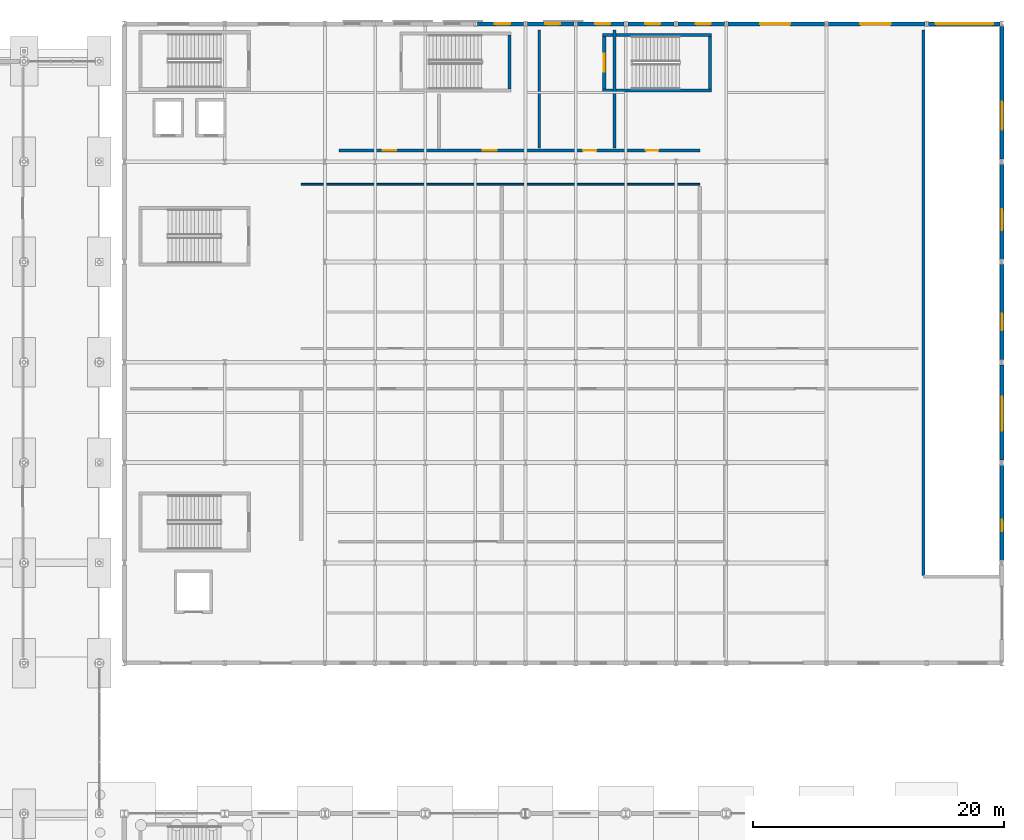
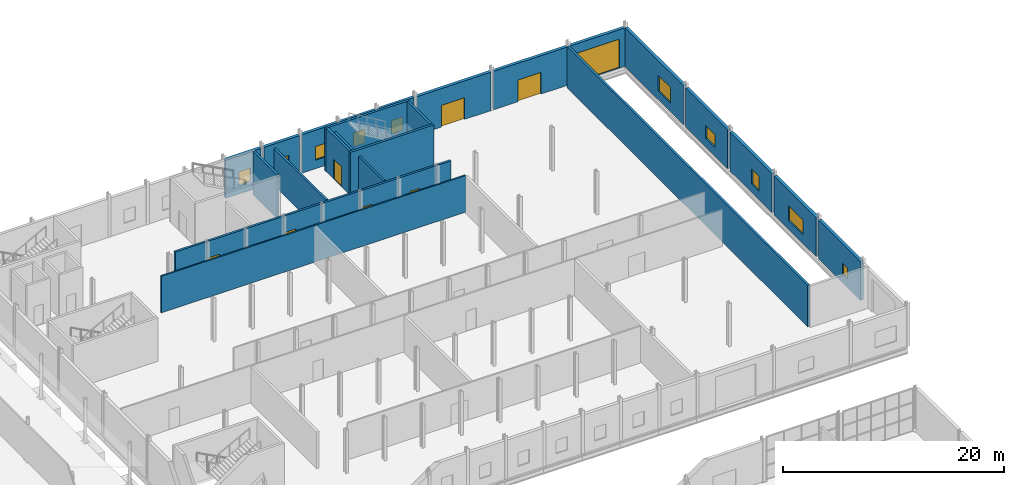
# One storey, part 83 of 101: 23 walls, 10 windows, 8 doors, 18 openings.
"""IFC4 building model written with IfcOpenShell, lengths in metres."""

from ifc_helpers import new_model, si_unit, derived_unit, direction, frame, frame_2d, origin, place, context, subcontext, project, spatial, rectangle, extrude, material, layer, layer_set, type_object, element, fill, save


model = new_model("IFC4")

# Units and contexts
model_context = context("Model", 3, precision=1e-05, world=origin(), true_north=direction((0.0, 1.0)))
body_context = subcontext(model_context, "Body", "Model", "MODEL_VIEW")
ifc_project = project(units=[si_unit("LENGTHUNIT", "METRE"), si_unit("AREAUNIT", "SQUARE_METRE"), si_unit("VOLUMEUNIT", "CUBIC_METRE"), si_unit("PLANEANGLEUNIT", "RADIAN"), si_unit("MASSUNIT", "GRAM", prefix="KILO"), derived_unit("THERMALTRANSMITTANCEUNIT", [(si_unit("POWERUNIT", "WATT"), 1), (si_unit("LENGTHUNIT", "METRE"), -2), (si_unit("THERMODYNAMICTEMPERATUREUNIT", "KELVIN"), -1)])], contexts=[model_context])

# Site, building, storey
site_placement = place(None, origin())
site = spatial("IfcSite", under=ifc_project, at=site_placement, CompositionType="ELEMENT")
building_placement = place(site_placement, origin())
building = spatial("IfcBuilding", under=site, at=building_placement, Name="Keldorne Ridge Multi-Sports Centre", CompositionType="ELEMENT")
storey_placement = place(building_placement, origin())
storey = spatial("IfcBuildingStorey", under=building, at=storey_placement, Name="L00", CompositionType="ELEMENT", Elevation=0.0)

# Wall, openings, doors
ifc_material_1 = material(Name="Moisture-resistant stud plumbing wall")
ifc_layer_1 = layer(ifc_material_1, 0.219970703125)
ifc_layer_set_1 = layer_set([ifc_layer_1])
wall_type_1 = type_object("IfcWallType", Name="WAL-PL-01", PredefinedType="PLUMBINGWALL", material=ifc_layer_set_1)
wall_1_placement = place(storey_placement, frame((121.10009765625, 106.89990234375, 0.0), z_axis=(0.0, 0.0, 1.0), x_axis=(1.0, 0.0, 0.0)))
wall_1 = element("IfcWall", 1, at=wall_1_placement, inside=storey, type_object=wall_type_1, Name="Ground north WC and Security Office corridor wall IW-L00-027", PredefinedType="PLUMBINGWALL", context=body_context, shape_type="SweptSolid", body=[
    extrude(rectangle(XDim=28.7998046875, YDim=0.219970703125, at=frame_2d((14.39990234375, 0.0))), origin(), (0.0, 0.0, 1.0), 4.050048828125),
])
opening_1_placement = place(wall_1_placement, frame((3.5, 0.0, 0.0)))
opening_1 = element("IfcOpeningElement", 2, at=opening_1_placement, cuts=wall_1, Name="Opening D-03", PredefinedType="OPENING", context=body_context, shape_type="SweptSolid", body=[
    extrude(rectangle(XDim=1.10009765625, YDim=2.199951171875, at=frame_2d((0.550048828125, 1.10009765625))), frame((0.0, 0.1201171875, 0.0), z_axis=(0.0, -1.0, 0.0), x_axis=(1.0, 0.0, 0.0)), (0.0, 0.0, 1.0), 0.239990234375),
])
opening_2_placement = place(wall_1_placement, frame((11.5, 0.0, 0.0)))
opening_2 = element("IfcOpeningElement", 3, at=opening_2_placement, cuts=wall_1, Name="Opening D-03", PredefinedType="OPENING", context=body_context, shape_type="SweptSolid", body=[
    extrude(rectangle(XDim=1.10009765625, YDim=2.199951171875, at=frame_2d((0.550048828125, 1.10009765625))), frame((0.0, 0.1201171875, 0.0), z_axis=(0.0, -1.0, 0.0), x_axis=(1.0, 0.0, 0.0)), (0.0, 0.0, 1.0), 0.239990234375),
])
opening_3_placement = place(wall_1_placement, frame((19.5, 0.0, 0.0)))
opening_3 = element("IfcOpeningElement", 4, at=opening_3_placement, cuts=wall_1, Name="Opening D-08", PredefinedType="OPENING", context=body_context, shape_type="SweptSolid", body=[
    extrude(rectangle(XDim=1.050048828125, YDim=2.14990234375, at=frame_2d((0.52490234375, 1.074951171875))), frame((0.0, 0.1201171875, 0.0), z_axis=(0.0, -1.0, 0.0), x_axis=(1.0, 0.0, 0.0)), (0.0, 0.0, 1.0), 0.239990234375),
])
opening_4_placement = place(wall_1_placement, frame((24.5, 0.0, 0.0)))
opening_4 = element("IfcOpeningElement", 5, at=opening_4_placement, cuts=wall_1, Name="Opening D-02", PredefinedType="OPENING", context=body_context, shape_type="SweptSolid", body=[
    extrude(rectangle(XDim=1.0, YDim=2.14990234375, at=frame_2d((0.5, 1.074951171875))), frame((0.0, 0.1201171875, 0.0), z_axis=(0.0, -1.0, 0.0), x_axis=(1.0, 0.0, 0.0)), (0.0, 0.0, 1.0), 0.239990234375),
])
ifc_material_2 = material(Name="Timber acoustic leaf", Category="wood")
door_type_1 = type_object("IfcDoorType", Name="DR-D-02", OperationType="NOTDEFINED", PredefinedType="DOOR", material=ifc_material_2)
door_1_placement = place(opening_4_placement, origin())
door_1 = element("IfcDoor", 6, at=door_1_placement, inside=storey, type_object=door_type_1, Name="Centre Security and Facility Office door D-095", OperationType="SINGLE_SWING_LEFT", OverallHeight=2.14990234375, OverallWidth=1.0, PredefinedType="DOOR", context=body_context, shape_type="SweptSolid", body=[
    extrude(rectangle(XDim=1.0, YDim=2.14990234375, at=frame_2d((0.5, 1.074951171875))), frame((0.0, 0.02490234375, 0.0), z_axis=(0.0, -1.0, 0.0), x_axis=(1.0, 0.0, 0.0)), (0.0, 0.0, 1.0), 0.050048828125),
])
fill(opening_4, door_1)
ifc_material_3 = material(Name="Timber fire-resisting leaf", Category="wood")
door_type_2 = type_object("IfcDoorType", Name="DR-D-03", OperationType="NOTDEFINED", PredefinedType="DOOR", material=ifc_material_3)
door_2_placement = place(opening_1_placement, origin())
door_2 = element("IfcDoor", 7, at=door_2_placement, inside=storey, type_object=door_type_2, Name="Ground Public Male WC door D-092", OperationType="SINGLE_SWING_RIGHT", OverallHeight=2.199951171875, OverallWidth=1.10009765625, PredefinedType="DOOR", context=body_context, shape_type="SweptSolid", body=[
    extrude(rectangle(XDim=1.10009765625, YDim=2.199951171875, at=frame_2d((0.550048828125, 1.10009765625))), frame((0.0, 0.02490234375, 0.0), z_axis=(0.0, -1.0, 0.0), x_axis=(1.0, 0.0, 0.0)), (0.0, 0.0, 1.0), 0.050048828125),
])
fill(opening_1, door_2)
door_3_placement = place(opening_2_placement, origin())
door_3 = element("IfcDoor", 8, at=door_3_placement, inside=storey, type_object=door_type_2, Name="Ground Public Female WC door D-093", OperationType="SINGLE_SWING_LEFT", OverallHeight=2.199951171875, OverallWidth=1.10009765625, PredefinedType="DOOR", context=body_context, shape_type="SweptSolid", body=[
    extrude(rectangle(XDim=1.10009765625, YDim=2.199951171875, at=frame_2d((0.550048828125, 1.10009765625))), frame((0.0, 0.02490234375, 0.0), z_axis=(0.0, -1.0, 0.0), x_axis=(1.0, 0.0, 0.0)), (0.0, 0.0, 1.0), 0.050048828125),
])
fill(opening_2, door_3)
ifc_material_4 = material(Name="Timber moisture-resistant leaf", Category="wood")
door_type_3 = type_object("IfcDoorType", Name="DR-D-08", OperationType="NOTDEFINED", PredefinedType="DOOR", material=ifc_material_4)
door_4_placement = place(opening_3_placement, origin())
door_4 = element("IfcDoor", 9, at=door_4_placement, inside=storey, type_object=door_type_3, Name="Ground Accessible WC door D-094", OperationType="SINGLE_SWING_RIGHT", OverallHeight=2.14990234375, OverallWidth=1.050048828125, PredefinedType="DOOR", context=body_context, shape_type="SweptSolid", body=[
    extrude(rectangle(XDim=1.050048828125, YDim=2.14990234375, at=frame_2d((0.52490234375, 1.074951171875))), frame((0.0, 0.02490234375, 0.0), z_axis=(0.0, -1.0, 0.0), x_axis=(1.0, 0.0, 0.0)), (0.0, 0.0, 1.0), 0.050048828125),
])
fill(opening_3, door_4)

# Walls
for number, where, z_axis, x_axis, name in (
    (10, (137.10009765625, 107.10009765625, 0.0), (0.0, 0.0, 1.0), (0.0, 1.0, 0.0), "Ground WC/office divider IW-L00-030"),
    (11, (143.10009765625, 107.10009765625, 0.0), (0.0, 0.0, 1.0), (0.0, 1.0, 0.0), "Ground WC/office divider IW-L00-031"),
):
    element("IfcWall", number, at=place(storey_placement, frame(where, z_axis=z_axis, x_axis=x_axis)), inside=storey, type_object=wall_type_1, Name=name, PredefinedType="PLUMBINGWALL", context=body_context, shape_type="SweptSolid", body=[
        extrude(rectangle(XDim=9.39990234375, YDim=0.219970703125, at=frame_2d((4.699951171875, 0.0))), origin(), (0.0, 0.0, 1.0), 4.050048828125),
    ])

# Wall, opening, window
ifc_material_5 = material(Name="Precast concrete C40/50", Category="concrete")
ifc_layer_2 = layer(ifc_material_5, 0.320068359375)
ifc_layer_set_2 = layer_set([ifc_layer_2], Name="Precast concrete C40/50")
wall_type_2 = type_object("IfcWallType", Name="WAL-PR-W1", PredefinedType="STANDARD", material=ifc_layer_set_2)
wall_2_placement = place(storey_placement, frame((135.847900390625, 117.0, 0.0), z_axis=(0.0, 0.0, 1.0), x_axis=(-1.0, 0.0, 0.0)))
wall_2 = element("IfcWall", 12, at=wall_2_placement, inside=storey, type_object=wall_type_2, Name="East Wing L00 north facade 6", PredefinedType="STANDARD", context=body_context, shape_type="SweptSolid", body=[
    extrude(rectangle(XDim=3.69580078125, YDim=0.320068359375, at=frame_2d((1.847900390625, 0.0))), origin(), (0.0, 0.0, 1.0), 4.2548828125),
])
opening_5_placement = place(wall_2_placement, frame((1.087890625, 0.0, 0.949951171875)))
opening_5 = element("IfcOpeningElement", 13, at=opening_5_placement, cuts=wall_2, Name="Opening W-03", PredefinedType="OPENING", context=body_context, shape_type="SweptSolid", body=[
    extrude(rectangle(XDim=1.199951171875, YDim=1.5, at=frame_2d((0.60009765625, 0.75))), frame((0.0, 0.169921875, 0.0), z_axis=(0.0, -1.0, 0.0), x_axis=(1.0, 0.0, 0.0)), (0.0, 0.0, 1.0), 0.340087890625),
])
ifc_material_6 = material(Name="Anodized aluminium", Category="aluminium")
window_type_1 = type_object("IfcWindowType", Name="WIN-W-03", PartitioningType="SINGLE_PANEL", PredefinedType="WINDOW", material=ifc_material_6)
window_1_placement = place(opening_5_placement, origin())
window_1 = element("IfcWindow", 14, at=window_1_placement, inside=storey, type_object=window_type_1, Name="East Wing L00 north window W-044", OverallHeight=1.5, OverallWidth=1.199951171875, PartitioningType="SINGLE_PANEL", PredefinedType="WINDOW", context=body_context, shape_type="SweptSolid", body=[
    extrude(rectangle(XDim=1.199951171875, YDim=1.5, at=frame_2d((0.60009765625, 0.75))), frame((0.0, 0.030029296875, 0.0), z_axis=(0.0, -1.0, 0.0), x_axis=(1.0, 0.0, 0.0)), (0.0, 0.0, 1.0), 0.06005859375),
])
fill(opening_5, window_1)

wall_3_placement = place(storey_placement, frame((139.847900390625, 117.0, 0.0), z_axis=(0.0, 0.0, 1.0), x_axis=(-1.0, 0.0, 0.0)))
wall_3 = element("IfcWall", 15, at=wall_3_placement, inside=storey, type_object=wall_type_2, Name="East Wing L00 north facade 7", PredefinedType="STANDARD", context=body_context, shape_type="SweptSolid", body=[
    extrude(rectangle(XDim=3.69580078125, YDim=0.320068359375, at=frame_2d((1.847900390625, 0.0))), origin(), (0.0, 0.0, 1.0), 4.2548828125),
])
opening_6_placement = place(wall_3_placement, frame((1.087890625, 0.0, 0.949951171875)))
opening_6 = element("IfcOpeningElement", 16, at=opening_6_placement, cuts=wall_3, Name="Opening W-03", PredefinedType="OPENING", context=body_context, shape_type="SweptSolid", body=[
    extrude(rectangle(XDim=1.199951171875, YDim=1.5, at=frame_2d((0.60009765625, 0.75))), frame((0.0, 0.169921875, 0.0), z_axis=(0.0, -1.0, 0.0), x_axis=(1.0, 0.0, 0.0)), (0.0, 0.0, 1.0), 0.340087890625),
])
window_2_placement = place(opening_6_placement, origin())
window_2 = element("IfcWindow", 17, at=window_2_placement, inside=storey, type_object=window_type_1, Name="East Wing L00 north window W-045", OverallHeight=1.5, OverallWidth=1.199951171875, PartitioningType="SINGLE_PANEL", PredefinedType="WINDOW", context=body_context, shape_type="SweptSolid", body=[
    extrude(rectangle(XDim=1.199951171875, YDim=1.5, at=frame_2d((0.60009765625, 0.75))), frame((0.0, 0.030029296875, 0.0), z_axis=(0.0, -1.0, 0.0), x_axis=(1.0, 0.0, 0.0)), (0.0, 0.0, 1.0), 0.06005859375),
])
fill(opening_6, window_2)

wall_4_placement = place(storey_placement, frame((143.847900390625, 117.0, 0.0), z_axis=(0.0, 0.0, 1.0), x_axis=(-1.0, 0.0, 0.0)))
wall_4 = element("IfcWall", 18, at=wall_4_placement, inside=storey, type_object=wall_type_2, Name="East Wing L00 north facade 8", PredefinedType="STANDARD", context=body_context, shape_type="SweptSolid", body=[
    extrude(rectangle(XDim=3.69580078125, YDim=0.320068359375, at=frame_2d((1.847900390625, 0.0))), origin(), (0.0, 0.0, 1.0), 4.2548828125),
])
opening_7_placement = place(wall_4_placement, frame((1.087890625, 0.0, 0.949951171875)))
opening_7 = element("IfcOpeningElement", 19, at=opening_7_placement, cuts=wall_4, Name="Opening W-03", PredefinedType="OPENING", context=body_context, shape_type="SweptSolid", body=[
    extrude(rectangle(XDim=1.199951171875, YDim=1.5, at=frame_2d((0.60009765625, 0.75))), frame((0.0, 0.169921875, 0.0), z_axis=(0.0, -1.0, 0.0), x_axis=(1.0, 0.0, 0.0)), (0.0, 0.0, 1.0), 0.340087890625),
])
window_3_placement = place(opening_7_placement, origin())
window_3 = element("IfcWindow", 20, at=window_3_placement, inside=storey, type_object=window_type_1, Name="East Wing L00 north window W-046", OverallHeight=1.5, OverallWidth=1.199951171875, PartitioningType="SINGLE_PANEL", PredefinedType="WINDOW", context=body_context, shape_type="SweptSolid", body=[
    extrude(rectangle(XDim=1.199951171875, YDim=1.5, at=frame_2d((0.60009765625, 0.75))), frame((0.0, 0.030029296875, 0.0), z_axis=(0.0, -1.0, 0.0), x_axis=(1.0, 0.0, 0.0)), (0.0, 0.0, 1.0), 0.06005859375),
])
fill(opening_7, window_3)

wall_5_placement = place(storey_placement, frame((147.847900390625, 117.0, 0.0), z_axis=(0.0, 0.0, 1.0), x_axis=(-1.0, 0.0, 0.0)))
wall_5 = element("IfcWall", 21, at=wall_5_placement, inside=storey, type_object=wall_type_2, Name="East Wing L00 north facade 9", PredefinedType="STANDARD", context=body_context, shape_type="SweptSolid", body=[
    extrude(rectangle(XDim=3.69580078125, YDim=0.320068359375, at=frame_2d((1.847900390625, 0.0))), origin(), (0.0, 0.0, 1.0), 4.2548828125),
])
opening_8_placement = place(wall_5_placement, frame((1.087890625, 0.0, 0.949951171875)))
opening_8 = element("IfcOpeningElement", 22, at=opening_8_placement, cuts=wall_5, Name="Opening W-03", PredefinedType="OPENING", context=body_context, shape_type="SweptSolid", body=[
    extrude(rectangle(XDim=1.199951171875, YDim=1.5, at=frame_2d((0.60009765625, 0.75))), frame((0.0, 0.169921875, 0.0), z_axis=(0.0, -1.0, 0.0), x_axis=(1.0, 0.0, 0.0)), (0.0, 0.0, 1.0), 0.340087890625),
])
window_4_placement = place(opening_8_placement, origin())
window_4 = element("IfcWindow", 23, at=window_4_placement, inside=storey, type_object=window_type_1, Name="East Wing L00 north window W-047", OverallHeight=1.5, OverallWidth=1.199951171875, PartitioningType="SINGLE_PANEL", PredefinedType="WINDOW", context=body_context, shape_type="SweptSolid", body=[
    extrude(rectangle(XDim=1.199951171875, YDim=1.5, at=frame_2d((0.60009765625, 0.75))), frame((0.0, 0.030029296875, 0.0), z_axis=(0.0, -1.0, 0.0), x_axis=(1.0, 0.0, 0.0)), (0.0, 0.0, 1.0), 0.06005859375),
])
fill(opening_8, window_4)

wall_6_placement = place(storey_placement, frame((151.847900390625, 117.0, 0.0), z_axis=(0.0, 0.0, 1.0), x_axis=(-1.0, 0.0, 0.0)))
wall_6 = element("IfcWall", 24, at=wall_6_placement, inside=storey, type_object=wall_type_2, Name="East Wing L00 north facade 10", PredefinedType="STANDARD", context=body_context, shape_type="SweptSolid", body=[
    extrude(rectangle(XDim=3.69580078125, YDim=0.320068359375, at=frame_2d((1.847900390625, 0.0))), origin(), (0.0, 0.0, 1.0), 4.2548828125),
])
opening_9_placement = place(wall_6_placement, frame((1.087890625, 0.0, 0.949951171875)))
opening_9 = element("IfcOpeningElement", 25, at=opening_9_placement, cuts=wall_6, Name="Opening W-03", PredefinedType="OPENING", context=body_context, shape_type="SweptSolid", body=[
    extrude(rectangle(XDim=1.199951171875, YDim=1.5, at=frame_2d((0.60009765625, 0.75))), frame((0.0, 0.169921875, 0.0), z_axis=(0.0, -1.0, 0.0), x_axis=(1.0, 0.0, 0.0)), (0.0, 0.0, 1.0), 0.340087890625),
])
window_5_placement = place(opening_9_placement, origin())
window_5 = element("IfcWindow", 26, at=window_5_placement, inside=storey, type_object=window_type_1, Name="East Wing L00 north window W-048", OverallHeight=1.5, OverallWidth=1.199951171875, PartitioningType="SINGLE_PANEL", PredefinedType="WINDOW", context=body_context, shape_type="SweptSolid", body=[
    extrude(rectangle(XDim=1.199951171875, YDim=1.5, at=frame_2d((0.60009765625, 0.75))), frame((0.0, 0.030029296875, 0.0), z_axis=(0.0, -1.0, 0.0), x_axis=(1.0, 0.0, 0.0)), (0.0, 0.0, 1.0), 0.06005859375),
])
fill(opening_9, window_5)

# Wall, opening, door
wall_7_placement = place(storey_placement, frame((159.847900390625, 117.0, 0.0), z_axis=(0.0, 0.0, 1.0), x_axis=(-1.0, 0.0, 0.0)))
wall_7 = element("IfcWall", 27, at=wall_7_placement, inside=storey, type_object=wall_type_2, Name="East Wing L00 north facade 11", PredefinedType="STANDARD", context=body_context, shape_type="SweptSolid", body=[
    extrude(rectangle(XDim=7.69580078125, YDim=0.320068359375, at=frame_2d((3.847900390625, 0.0))), origin(), (0.0, 0.0, 1.0), 4.2548828125),
])
opening_10_placement = place(wall_7_placement, frame((2.738037109375, 0.0, 0.0)))
opening_10 = element("IfcOpeningElement", 28, at=opening_10_placement, cuts=wall_7, Name="Opening ED-01", PredefinedType="OPENING", context=body_context, shape_type="SweptSolid", body=[
    extrude(rectangle(XDim=2.39990234375, YDim=2.39990234375, at=frame_2d((1.199951171875, 1.199951171875))), frame((0.0, 0.169921875, 0.0), z_axis=(0.0, -1.0, 0.0), x_axis=(1.0, 0.0, 0.0)), (0.0, 0.0, 1.0), 0.340087890625),
])
door_type_4 = type_object("IfcDoorType", Name="DR-ED-01", OperationType="NOTDEFINED", PredefinedType="DOOR", material=ifc_material_6)
door_5_placement = place(opening_10_placement, origin())
door_5 = element("IfcDoor", 29, at=door_5_placement, inside=storey, type_object=door_type_4, Name="East Wing north exit door 11", OperationType="DOUBLE_DOOR_SINGLE_SWING", OverallHeight=2.39990234375, OverallWidth=2.39990234375, PredefinedType="DOOR", context=body_context, shape_type="SweptSolid", body=[
    extrude(rectangle(XDim=2.39990234375, YDim=2.39990234375, at=frame_2d((1.199951171875, 1.199951171875))), frame((0.0, 0.02490234375, 0.0), z_axis=(0.0, -1.0, 0.0), x_axis=(1.0, 0.0, 0.0)), (0.0, 0.0, 1.0), 0.050048828125),
])
fill(opening_10, door_5)

wall_8_placement = place(storey_placement, frame((167.847900390625, 117.0, 0.0), z_axis=(0.0, 0.0, 1.0), x_axis=(-1.0, 0.0, 0.0)))
wall_8 = element("IfcWall", 30, at=wall_8_placement, inside=storey, type_object=wall_type_2, Name="East Wing L00 north facade 12", PredefinedType="STANDARD", context=body_context, shape_type="SweptSolid", body=[
    extrude(rectangle(XDim=7.69580078125, YDim=0.320068359375, at=frame_2d((3.847900390625, 0.0))), origin(), (0.0, 0.0, 1.0), 4.2451171875),
])
opening_11_placement = place(wall_8_placement, frame((2.738037109375, 0.0, 0.0)))
opening_11 = element("IfcOpeningElement", 31, at=opening_11_placement, cuts=wall_8, Name="Opening ED-01", PredefinedType="OPENING", context=body_context, shape_type="SweptSolid", body=[
    extrude(rectangle(XDim=2.39990234375, YDim=2.39990234375, at=frame_2d((1.199951171875, 1.199951171875))), frame((0.0, 0.169921875, 0.0), z_axis=(0.0, -1.0, 0.0), x_axis=(1.0, 0.0, 0.0)), (0.0, 0.0, 1.0), 0.340087890625),
])
door_6_placement = place(opening_11_placement, origin())
door_6 = element("IfcDoor", 32, at=door_6_placement, inside=storey, type_object=door_type_4, Name="East Wing north exit door 12", OperationType="DOUBLE_DOOR_SINGLE_SWING", OverallHeight=2.39990234375, OverallWidth=2.39990234375, PredefinedType="DOOR", context=body_context, shape_type="SweptSolid", body=[
    extrude(rectangle(XDim=2.39990234375, YDim=2.39990234375, at=frame_2d((1.199951171875, 1.199951171875))), frame((0.0, 0.02490234375, 0.0), z_axis=(0.0, -1.0, 0.0), x_axis=(1.0, 0.0, 0.0)), (0.0, 0.0, 1.0), 0.050048828125),
])
fill(opening_11, door_6)

wall_9_placement = place(storey_placement, frame((173.847900390625, 117.0, 0.0), z_axis=(0.0, 0.0, 1.0), x_axis=(-1.0, 0.0, 0.0)))
wall_9 = element("IfcWall", 33, at=wall_9_placement, inside=storey, type_object=wall_type_2, Name="East Wing L00 north facade 13", PredefinedType="STANDARD", context=body_context, shape_type="SweptSolid", body=[
    extrude(rectangle(XDim=5.69580078125, YDim=0.320068359375, at=frame_2d((2.847900390625, 0.0))), origin(), (0.0, 0.0, 1.0), 4.2451171875),
])
opening_12_placement = place(wall_9_placement, frame((0.548095703125, 0.0, 0.0)))
opening_12 = element("IfcOpeningElement", 34, at=opening_12_placement, cuts=wall_9, Name="Opening VG-01", PredefinedType="OPENING", context=body_context, shape_type="SweptSolid", body=[
    extrude(rectangle(XDim=4.60009765625, YDim=3.199951171875, at=frame_2d((2.300048828125, 1.60009765625))), frame((0.0, 0.169921875, 0.0), z_axis=(0.0, -1.0, 0.0), x_axis=(1.0, 0.0, 0.0)), (0.0, 0.0, 1.0), 0.340087890625),
])
ifc_material_7 = material(Name="Galvanized steel", Category="steel")
door_type_5 = type_object("IfcDoorType", Name="DR-VG-01", OperationType="NOTDEFINED", PredefinedType="GATE", material=ifc_material_7)
door_7_placement = place(opening_12_placement, origin())
door_7 = element("IfcDoor", 35, at=door_7_placement, inside=storey, type_object=door_type_5, Name="Basement Car Park vehicle ramp roller gate VG-01", OperationType="ROLLINGUP", OverallHeight=3.199951171875, OverallWidth=4.60009765625, PredefinedType="GATE", context=body_context, shape_type="SweptSolid", body=[
    extrude(rectangle(XDim=4.60009765625, YDim=3.199951171875, at=frame_2d((2.300048828125, 1.60009765625))), frame((0.0, 0.02490234375, 0.0), z_axis=(0.0, -1.0, 0.0), x_axis=(1.0, 0.0, 0.0)), (0.0, 0.0, 1.0), 0.050048828125),
])
fill(opening_12, door_7)

# Wall, opening, window
wall_10_placement = place(storey_placement, frame((174.0, 74.201904296875, 0.0), z_axis=(0.0, 0.0, 1.0), x_axis=(0.0, 1.0, 0.0)))
wall_10 = element("IfcWall", 36, at=wall_10_placement, inside=storey, type_object=wall_type_2, Name="East Wing L00 east facade 2", PredefinedType="STANDARD", context=body_context, shape_type="SweptSolid", body=[
    extrude(rectangle(XDim=7.59619140625, YDim=0.320068359375, at=frame_2d((3.798095703125, 0.0))), origin(), (0.0, 0.0, 1.0), 4.300048828125),
])
opening_13_placement = place(wall_10_placement, frame((2.337890625, 0.0, 0.949951171875)))
opening_13 = element("IfcOpeningElement", 37, at=opening_13_placement, cuts=wall_10, Name="Opening W-07", PredefinedType="OPENING", context=body_context, shape_type="SweptSolid", body=[
    extrude(rectangle(XDim=0.89990234375, YDim=1.199951171875, at=frame_2d((0.449951171875, 0.60009765625))), frame((0.0, 0.169921875, 0.0), z_axis=(0.0, -1.0, 0.0), x_axis=(1.0, 0.0, 0.0)), (0.0, 0.0, 1.0), 0.340087890625),
])
window_type_2 = type_object("IfcWindowType", Name="WIN-W-07", PartitioningType="SINGLE_PANEL", PredefinedType="WINDOW", material=ifc_material_6)
window_6_placement = place(opening_13_placement, origin())
window_6 = element("IfcWindow", 38, at=window_6_placement, inside=storey, type_object=window_type_2, Name="East Wing L00 east window W-049", OverallHeight=1.199951171875, OverallWidth=0.89990234375, PartitioningType="SINGLE_PANEL", PredefinedType="WINDOW", context=body_context, shape_type="SweptSolid", body=[
    extrude(rectangle(XDim=0.89990234375, YDim=1.199951171875, at=frame_2d((0.449951171875, 0.60009765625))), frame((0.0, 0.030029296875, 0.0), z_axis=(0.0, -1.0, 0.0), x_axis=(1.0, 0.0, 0.0)), (0.0, 0.0, 1.0), 0.06005859375),
])
fill(opening_13, window_6)

wall_11_placement = place(storey_placement, frame((174.0, 82.201904296875, 0.0), z_axis=(0.0, 0.0, 1.0), x_axis=(0.0, 1.0, 0.0)))
wall_11 = element("IfcWall", 39, at=wall_11_placement, inside=storey, type_object=wall_type_2, Name="East Wing L00 east facade 3", PredefinedType="STANDARD", context=body_context, shape_type="SweptSolid", body=[
    extrude(rectangle(XDim=7.59619140625, YDim=0.320068359375, at=frame_2d((3.798095703125, 0.0))), origin(), (0.0, 0.0, 1.0), 4.300048828125),
])
opening_14_placement = place(wall_11_placement, frame((2.337890625, 0.0, 0.949951171875)))
opening_14 = element("IfcOpeningElement", 40, at=opening_14_placement, cuts=wall_11, Name="Opening W-08", PredefinedType="OPENING", context=body_context, shape_type="SweptSolid", body=[
    extrude(rectangle(XDim=2.699951171875, YDim=1.64990234375, at=frame_2d((1.35009765625, 0.824951171875))), frame((0.0, 0.169921875, 0.0), z_axis=(0.0, -1.0, 0.0), x_axis=(1.0, 0.0, 0.0)), (0.0, 0.0, 1.0), 0.340087890625),
])
window_type_3 = type_object("IfcWindowType", Name="WIN-W-08", PartitioningType="DOUBLE_PANEL_VERTICAL", PredefinedType="WINDOW", material=ifc_material_6)
window_7_placement = place(opening_14_placement, origin())
window_7 = element("IfcWindow", 41, at=window_7_placement, inside=storey, type_object=window_type_3, Name="East Wing L00 east window W-050", OverallHeight=1.64990234375, OverallWidth=2.699951171875, PartitioningType="SINGLE_PANEL", PredefinedType="WINDOW", context=body_context, shape_type="SweptSolid", body=[
    extrude(rectangle(XDim=2.699951171875, YDim=1.64990234375, at=frame_2d((1.35009765625, 0.824951171875))), frame((0.0, 0.030029296875, 0.0), z_axis=(0.0, -1.0, 0.0), x_axis=(1.0, 0.0, 0.0)), (0.0, 0.0, 1.0), 0.06005859375),
])
fill(opening_14, window_7)

wall_12_placement = place(storey_placement, frame((174.0, 90.201904296875, 0.0), z_axis=(0.0, 0.0, 1.0), x_axis=(0.0, 1.0, 0.0)))
wall_12 = element("IfcWall", 42, at=wall_12_placement, inside=storey, type_object=wall_type_2, Name="East Wing L00 east facade 4", PredefinedType="STANDARD", context=body_context, shape_type="SweptSolid", body=[
    extrude(rectangle(XDim=7.59619140625, YDim=0.320068359375, at=frame_2d((3.798095703125, 0.0))), origin(), (0.0, 0.0, 1.0), 4.300048828125),
])
opening_15_placement = place(wall_12_placement, frame((2.337890625, 0.0, 0.949951171875)))
opening_15 = element("IfcOpeningElement", 43, at=opening_15_placement, cuts=wall_12, Name="Opening W-09", PredefinedType="OPENING", context=body_context, shape_type="SweptSolid", body=[
    extrude(rectangle(XDim=1.35009765625, YDim=1.64990234375, at=frame_2d((0.675048828125, 0.824951171875))), frame((0.0, 0.169921875, 0.0), z_axis=(0.0, -1.0, 0.0), x_axis=(1.0, 0.0, 0.0)), (0.0, 0.0, 1.0), 0.340087890625),
])
window_type_4 = type_object("IfcWindowType", Name="WIN-W-09", PartitioningType="SINGLE_PANEL", PredefinedType="WINDOW", material=ifc_material_6)
window_8_placement = place(opening_15_placement, origin())
window_8 = element("IfcWindow", 44, at=window_8_placement, inside=storey, type_object=window_type_4, Name="East Wing L00 east window W-051", OverallHeight=1.64990234375, OverallWidth=1.35009765625, PartitioningType="SINGLE_PANEL", PredefinedType="WINDOW", context=body_context, shape_type="SweptSolid", body=[
    extrude(rectangle(XDim=1.35009765625, YDim=1.64990234375, at=frame_2d((0.675048828125, 0.824951171875))), frame((0.0, 0.030029296875, 0.0), z_axis=(0.0, -1.0, 0.0), x_axis=(1.0, 0.0, 0.0)), (0.0, 0.0, 1.0), 0.06005859375),
])
fill(opening_15, window_8)

wall_13_placement = place(storey_placement, frame((174.0, 98.201904296875, 0.0), z_axis=(0.0, 0.0, 1.0), x_axis=(0.0, 1.0, 0.0)))
wall_13 = element("IfcWall", 45, at=wall_13_placement, inside=storey, type_object=wall_type_2, Name="East Wing L00 east facade 5", PredefinedType="STANDARD", context=body_context, shape_type="SweptSolid", body=[
    extrude(rectangle(XDim=7.59619140625, YDim=0.320068359375, at=frame_2d((3.798095703125, 0.0))), origin(), (0.0, 0.0, 1.0), 4.300048828125),
])
opening_16_placement = place(wall_13_placement, frame((2.337890625, 0.0, 0.949951171875)))
opening_16 = element("IfcOpeningElement", 46, at=opening_16_placement, cuts=wall_13, Name="Opening W-10", PredefinedType="OPENING", context=body_context, shape_type="SweptSolid", body=[
    extrude(rectangle(XDim=1.64990234375, YDim=1.39990234375, at=frame_2d((0.824951171875, 0.699951171875))), frame((0.0, 0.169921875, 0.0), z_axis=(0.0, -1.0, 0.0), x_axis=(1.0, 0.0, 0.0)), (0.0, 0.0, 1.0), 0.340087890625),
])
window_type_5 = type_object("IfcWindowType", Name="WIN-W-10", PartitioningType="SINGLE_PANEL", PredefinedType="WINDOW", material=ifc_material_6)
window_9_placement = place(opening_16_placement, origin())
window_9 = element("IfcWindow", 47, at=window_9_placement, inside=storey, type_object=window_type_5, Name="East Wing L00 east window W-052", OverallHeight=1.39990234375, OverallWidth=1.64990234375, PartitioningType="SINGLE_PANEL", PredefinedType="WINDOW", context=body_context, shape_type="SweptSolid", body=[
    extrude(rectangle(XDim=1.64990234375, YDim=1.39990234375, at=frame_2d((0.824951171875, 0.699951171875))), frame((0.0, 0.030029296875, 0.0), z_axis=(0.0, -1.0, 0.0), x_axis=(1.0, 0.0, 0.0)), (0.0, 0.0, 1.0), 0.06005859375),
])
fill(opening_16, window_9)

wall_14_placement = place(storey_placement, frame((174.0, 106.201904296875, 0.0), z_axis=(0.0, 0.0, 1.0), x_axis=(0.0, 1.0, 0.0)))
wall_14 = element("IfcWall", 48, at=wall_14_placement, inside=storey, type_object=wall_type_2, Name="East Wing L00 east facade 6", PredefinedType="STANDARD", context=body_context, shape_type="SweptSolid", body=[
    extrude(rectangle(XDim=10.59619140625, YDim=0.320068359375, at=frame_2d((5.298095703125, 0.0))), origin(), (0.0, 0.0, 1.0), 4.300048828125),
])
opening_17_placement = place(wall_14_placement, frame((2.337890625, 0.0, 0.949951171875)))
opening_17 = element("IfcOpeningElement", 49, at=opening_17_placement, cuts=wall_14, Name="Opening W-11", PredefinedType="OPENING", context=body_context, shape_type="SweptSolid", body=[
    extrude(rectangle(XDim=2.25, YDim=1.75, at=frame_2d((1.125, 0.875))), frame((0.0, 0.169921875, 0.0), z_axis=(0.0, -1.0, 0.0), x_axis=(1.0, 0.0, 0.0)), (0.0, 0.0, 1.0), 0.340087890625),
])
window_type_6 = type_object("IfcWindowType", Name="WIN-W-11", PartitioningType="DOUBLE_PANEL_VERTICAL", PredefinedType="WINDOW", material=ifc_material_6)
window_10_placement = place(opening_17_placement, origin())
window_10 = element("IfcWindow", 50, at=window_10_placement, inside=storey, type_object=window_type_6, Name="East Wing L00 east window W-053", OverallHeight=1.75, OverallWidth=2.25, PartitioningType="SINGLE_PANEL", PredefinedType="WINDOW", context=body_context, shape_type="SweptSolid", body=[
    extrude(rectangle(XDim=2.25, YDim=1.75, at=frame_2d((1.125, 0.875))), frame((0.0, 0.030029296875, 0.0), z_axis=(0.0, -1.0, 0.0), x_axis=(1.0, 0.0, 0.0)), (0.0, 0.0, 1.0), 0.06005859375),
])
fill(opening_17, window_10)

# Wall
ifc_material_8 = material(Name="Fire-rated twin stud plasterboard")
ifc_layer_3 = layer(ifc_material_8, 0.14990234375)
ifc_layer_set_3 = layer_set([ifc_layer_3])
wall_type_3 = type_object("IfcWallType", Name="WAL-PT-02", PredefinedType="PARTITIONING", material=ifc_layer_set_3)
wall_15_placement = place(storey_placement, frame((118.10009765625, 104.199951171875, 0.0), z_axis=(0.0, 0.0, 1.0), x_axis=(1.0, 0.0, 0.0)))
element("IfcWall", 51, at=wall_15_placement, inside=storey, type_object=wall_type_3, Name="Visiting changing north wall IW-L00-028", PredefinedType="PARTITIONING", context=body_context, shape_type="SweptSolid", body=[
    extrude(rectangle(XDim=31.7998046875, YDim=0.14990234375, at=frame_2d((15.89990234375, 0.0))), origin(), (0.0, 0.0, 1.0), 4.050048828125),
])

# Wall, opening, door
ifc_material_9 = material(Name="Concrete C40/50", Category="concrete")
ifc_layer_4 = layer(ifc_material_9, 0.25)
ifc_layer_set_4 = layer_set([ifc_layer_4], Name="Concrete C40/50")
wall_type_4 = type_object("IfcWallType", Name="WAL-SW01", PredefinedType="SHEAR", material=ifc_layer_set_4)
wall_16_placement = place(storey_placement, frame((142.27490234375, 111.800048828125, 0.0), z_axis=(0.0, 0.0, 1.0), x_axis=(0.0, 1.0, 0.0)))
wall_16 = element("IfcWall", 52, at=wall_16_placement, inside=storey, type_object=wall_type_4, Name="Stair ST-03 shaft wall L00 NEAR", PredefinedType="SHEAR", context=body_context, shape_type="SweptSolid", body=[
    extrude(rectangle(XDim=4.179931640625, YDim=0.25, at=frame_2d((2.08984375, 0.0))), origin(), (0.0, 0.0, 1.0), 4.800048828125),
])
opening_18_placement = place(wall_16_placement, frame((1.364990234375, 0.0, 0.0)))
opening_18 = element("IfcOpeningElement", 53, at=opening_18_placement, cuts=wall_16, Name="Opening D-05", PredefinedType="OPENING", context=body_context, shape_type="SweptSolid", body=[
    extrude(rectangle(XDim=1.449951171875, YDim=2.199951171875, at=frame_2d((0.72509765625, 1.10009765625))), frame((0.0, 0.135009765625, 0.0), z_axis=(0.0, -1.0, 0.0), x_axis=(1.0, 0.0, 0.0)), (0.0, 0.0, 1.0), 0.27001953125),
])
ifc_material_10 = material(Name="Steel fire-resisting pair", Category="steel")
door_type_6 = type_object("IfcDoorType", Name="DR-D-05", OperationType="NOTDEFINED", PredefinedType="DOOR", material=ifc_material_10)
door_8_placement = place(opening_18_placement, origin())
door_8 = element("IfcDoor", 54, at=door_8_placement, inside=storey, type_object=door_type_6, Name="Stair ST-03 L00 fire door D-015", OperationType="DOUBLE_DOOR_SINGLE_SWING", OverallHeight=2.199951171875, OverallWidth=1.449951171875, PredefinedType="DOOR", context=body_context, shape_type="SweptSolid", body=[
    extrude(rectangle(XDim=1.449951171875, YDim=2.199951171875, at=frame_2d((0.72509765625, 1.10009765625))), frame((0.0, 0.02490234375, 0.0), z_axis=(0.0, -1.0, 0.0), x_axis=(1.0, 0.0, 0.0)), (0.0, 0.0, 1.0), 0.050048828125),
])
fill(opening_18, door_8)

# Walls
wall_17_placement = place(storey_placement, frame((150.72509765625, 115.97998046875, 0.0), z_axis=(0.0, 0.0, 1.0), x_axis=(0.0, -1.0, 0.0)))
element("IfcWall", 55, at=wall_17_placement, inside=storey, type_object=wall_type_4, Name="Stair ST-03 shaft wall L00 FAR", PredefinedType="SHEAR", context=body_context, shape_type="SweptSolid", body=[
    extrude(rectangle(XDim=4.179931640625, YDim=0.25, at=frame_2d((2.08984375, 0.0))), origin(), (0.0, 0.0, 1.0), 4.800048828125),
])
for number, where, z_axis, x_axis, name in (
    (56, (142.14990234375, 111.675048828125, 0.0), (0.0, 0.0, 1.0), (1.0, 0.0, 0.0), "Stair ST-03 shaft wall L00 SOUTH"),
    (57, (150.85009765625, 116.10498046875, 0.0), (0.0, 0.0, 1.0), (-1.0, 0.0, 0.0), "Stair ST-03 shaft wall L00 NORTH"),
):
    element("IfcWall", number, at=place(storey_placement, frame(where, z_axis=z_axis, x_axis=x_axis)), inside=storey, type_object=wall_type_4, Name=name, PredefinedType="SHEAR", context=body_context, shape_type="SweptSolid", body=[
        extrude(rectangle(XDim=8.7001953125, YDim=0.25, at=frame_2d((4.35009765625, 0.0))), origin(), (0.0, 0.0, 1.0), 4.800048828125),
    ])
ifc_layer_5 = layer(ifc_material_9, 0.22998046875)
ifc_layer_set_5 = layer_set([ifc_layer_5], Name="Concrete C40/50")
wall_type_5 = type_object("IfcWallType", Name="WAL-SW02", PredefinedType="SHEAR", material=ifc_layer_set_5)
wall_18_placement = place(storey_placement, frame((134.715087890625, 116.10009765625, 0.0), z_axis=(0.0, 0.0, 1.0), x_axis=(0.0, -1.0, 0.0)))
element("IfcWall", 58, at=wall_18_placement, inside=storey, type_object=wall_type_5, Name="Stair ST-10 shaft wall L00 FAR", PredefinedType="SHEAR", context=body_context, shape_type="SweptSolid", body=[
    extrude(rectangle(XDim=4.300048828125, YDim=0.22998046875, at=frame_2d((2.14990234375, 0.0))), origin(), (0.0, 0.0, 1.0), 4.800048828125),
])
wall_19_placement = place(storey_placement, frame((167.75, 73.0, 0.0), z_axis=(0.0, 0.0, 1.0), x_axis=(0.0, 1.0, 0.0)))
element("IfcWall", 59, at=wall_19_placement, inside=storey, type_object=wall_type_5, Name="Ground vehicle ramp headhouse wall", PredefinedType="SHEAR", context=body_context, shape_type="SweptSolid", body=[
    extrude(rectangle(XDim=43.5, YDim=0.22998046875, at=frame_2d((21.75, 0.0))), origin(), (0.0, 0.0, 1.0), 4.580078125),
])

save(model, "model.ifc")
